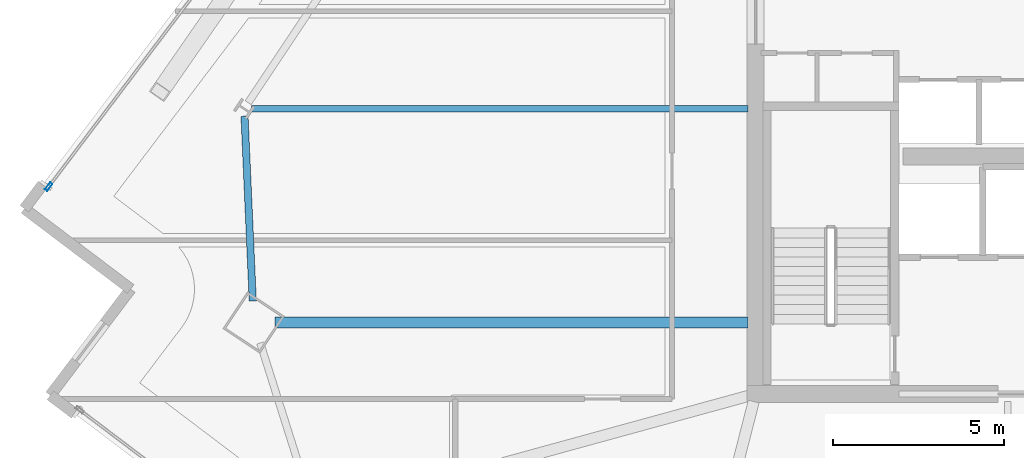
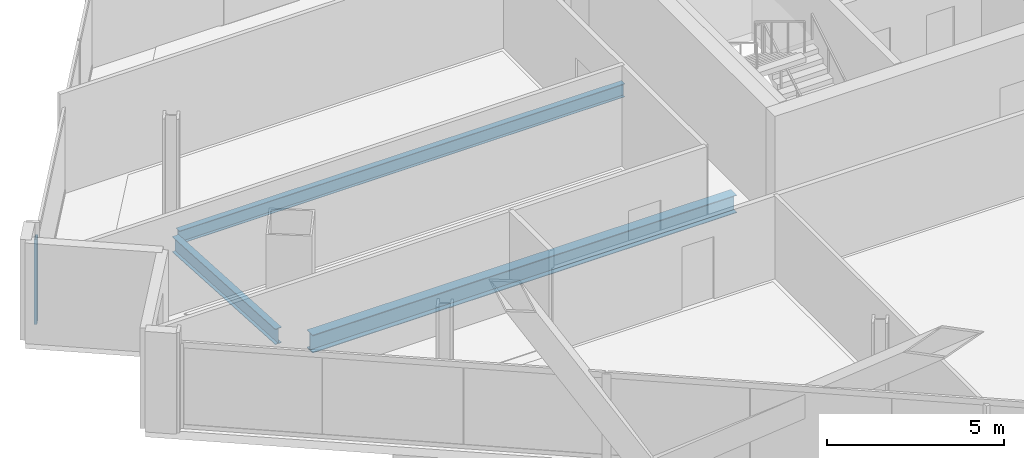
# One storey, part 7 of 34: 3 beams, 1 member, 1 element without a shape of its own.
"""IFC4 building model written with IfcOpenShell, lengths in metres."""

from ifc_helpers import new_model, si_unit, direction, frame, origin, origin_2d, place, context, subcontext, project, spatial, hollow_rectangle, i_section, extrude, material, material_profile, profile_set, type_object, element, aggregate, save


model = new_model("IFC4")

# Units and contexts
model_context = context("Model", 3, precision=1e-05, world=origin(), true_north=direction((0.0, 1.0)))
body_context = subcontext(model_context, "Body", "Model", "MODEL_VIEW")
ifc_project = project(units=[si_unit("LENGTHUNIT", "METRE"), si_unit("AREAUNIT", "SQUARE_METRE"), si_unit("VOLUMEUNIT", "CUBIC_METRE"), si_unit("PLANEANGLEUNIT", "RADIAN"), si_unit("MASSUNIT", "GRAM", prefix="KILO")], contexts=[model_context])

# Site, building, storey
site_placement = place(None, origin())
site = spatial("IfcSite", under=ifc_project, at=site_placement, CompositionType="ELEMENT")
building_placement = place(site_placement, origin())
building = spatial("IfcBuilding", under=site, at=building_placement, Name="Haldenkirk Collegiate Tower", CompositionType="ELEMENT")
storey_placement = place(building_placement, frame((0.0, 0.0, 205.949951171875)))
storey = spatial("IfcBuildingStorey", under=building, at=storey_placement, Name="L51", CompositionType="ELEMENT", Elevation=205.949951171875)

# Beams
ifc_material_1 = material(Name="Steel ASTM A992 Grade 50", Category="steel")
ifc_material_profile_1 = material_profile(ifc_material_1, i_section(OverallWidth=0.324951171875, OverallDepth=0.615966796875, WebThickness=0.013916015625, FlangeThickness=0.021484375, at=origin_2d()), Name="W24X117")
ifc_profile_set_1 = profile_set([ifc_material_profile_1], Name="Steel ASTM A992 Grade 50")
beam_type_1 = type_object("IfcBeamType", Name="BM-GIRDER-W24X117", PredefinedType="BEAM", material=ifc_profile_set_1)
beam_1_placement = place(storey_placement, frame((12.9345703125, 20.089599609375, -0.587890625), z_axis=(1.0, 0.0, 0.0), x_axis=(0.0, 1.0, 0.0)))
element("IfcBeam", 1, at=beam_1_placement, inside=storey, type_object=beam_type_1, Name="L51 primary floor girder 04", PredefinedType="BEAM", context=body_context, shape_type="SweptSolid", body=[
    extrude(i_section(OverallWidth=0.324951171875, OverallDepth=0.615966796875, WebThickness=0.013916015625, FlangeThickness=0.021484375, at=origin_2d()), origin(), (0.0, 0.0, 1.0), 13.83544921875),
])
ifc_material_profile_2 = material_profile(ifc_material_1, i_section(OverallWidth=0.18994140625, OverallDepth=0.45703125, WebThickness=0.009033203125, FlangeThickness=0.014404296875, at=origin_2d()), Name="W18X50")
ifc_profile_set_2 = profile_set([ifc_material_profile_2], Name="Steel ASTM A992 Grade 50")
beam_type_2 = type_object("IfcBeamType", Name="BM-JOIST-W18X50", PredefinedType="JOIST", material=ifc_profile_set_2)
beam_2_placement = place(storey_placement, frame((12.2421875, 26.34716796875, -0.508544921875), z_axis=(1.0, 0.0, 0.0), x_axis=(0.0, 1.0, 0.0)))
element("IfcBeam", 2, at=beam_2_placement, inside=storey, type_object=beam_type_2, Name="L51 composite floor joist 13", PredefinedType="JOIST", context=body_context, shape_type="SweptSolid", body=[
    extrude(i_section(OverallWidth=0.18994140625, OverallDepth=0.45703125, WebThickness=0.009033203125, FlangeThickness=0.014404296875, at=origin_2d()), origin(), (0.0, 0.0, 1.0), 14.52783203125),
])
ifc_material_profile_3 = material_profile(ifc_material_1, i_section(OverallWidth=0.2099609375, OverallDepth=0.537109375, WebThickness=0.010986328125, FlangeThickness=0.017333984375, at=origin_2d()), Name="W21X68")
ifc_profile_set_3 = profile_set([ifc_material_profile_3], Name="Steel ASTM A992 Grade 50")
beam_type_3 = type_object("IfcBeamType", Name="BM-SPANDREL-W21X68", PredefinedType="SPANDREL", material=ifc_profile_set_3)
beam_3_placement = place(storey_placement, frame((12.034912109375, 26.13037109375, -0.54833984375), z_axis=(0.044620526426, -0.999004008311, 0.0), x_axis=(0.999004008311, 0.044620526426, 0.0)))
element("IfcBeam", 3, at=beam_3_placement, inside=storey, type_object=beam_type_3, Name="L51 perimeter spandrel beam 12", PredefinedType="SPANDREL", context=body_context, shape_type="SweptSolid", body=[
    extrude(i_section(OverallWidth=0.2099609375, OverallDepth=0.537109375, WebThickness=0.010986328125, FlangeThickness=0.017333984375, at=origin_2d()), origin(), (0.0, 0.0, 1.0), 5.416748046875),
])

# Curtain wall, member
ifc_material_2 = material(Name="Anodised architectural bronze aluminium", Category="aluminium")
curtain_wall_type = type_object("IfcCurtainWallType", Name="CW-SYS1B-CONVEX-HI", PredefinedType="USERDEFINED", material=ifc_material_2)
curtain_wall_placement = place(storey_placement, origin())
curtain_wall = element("IfcCurtainWall", 4, at=curtain_wall_placement, inside=storey, type_object=curtain_wall_type, Name="L51 Upper tower high-wind convex bronze unitised curtain wall", ObjectType="UNITISED CURTAIN WALL", PredefinedType="USERDEFINED")
ifc_material_profile_4 = material_profile(ifc_material_2, hollow_rectangle(XDim=0.0849609375, YDim=0.25, WallThickness=0.0048828125, at=origin_2d()), Name="CW-MUL-1B")
ifc_profile_set_4 = profile_set([ifc_material_profile_4], Name="Anodised architectural bronze aluminium")
member_type = type_object("IfcMemberType", Name="CW-MUL-1B", PredefinedType="MULLION", material=ifc_profile_set_4)
member_placement = place(storey_placement, frame((6.301513671875, 24.065185546875, 0.0), z_axis=(0.0, 0.0, 1.0), x_axis=(-0.797584320771, 0.6032074695, 0.0)))
member = element("IfcMember", 5, at=member_placement, type_object=member_type, Name="CW-1B mullion 1", PredefinedType="MULLION", context=body_context, shape_type="SweptSolid", body=[
    extrude(hollow_rectangle(XDim=0.0849609375, YDim=0.25, WallThickness=0.0048828125, at=origin_2d()), origin(), (0.0, 0.0, 1.0), 2.927978515625),
])
aggregate(curtain_wall, [member])

save(model, "model.ifc")
